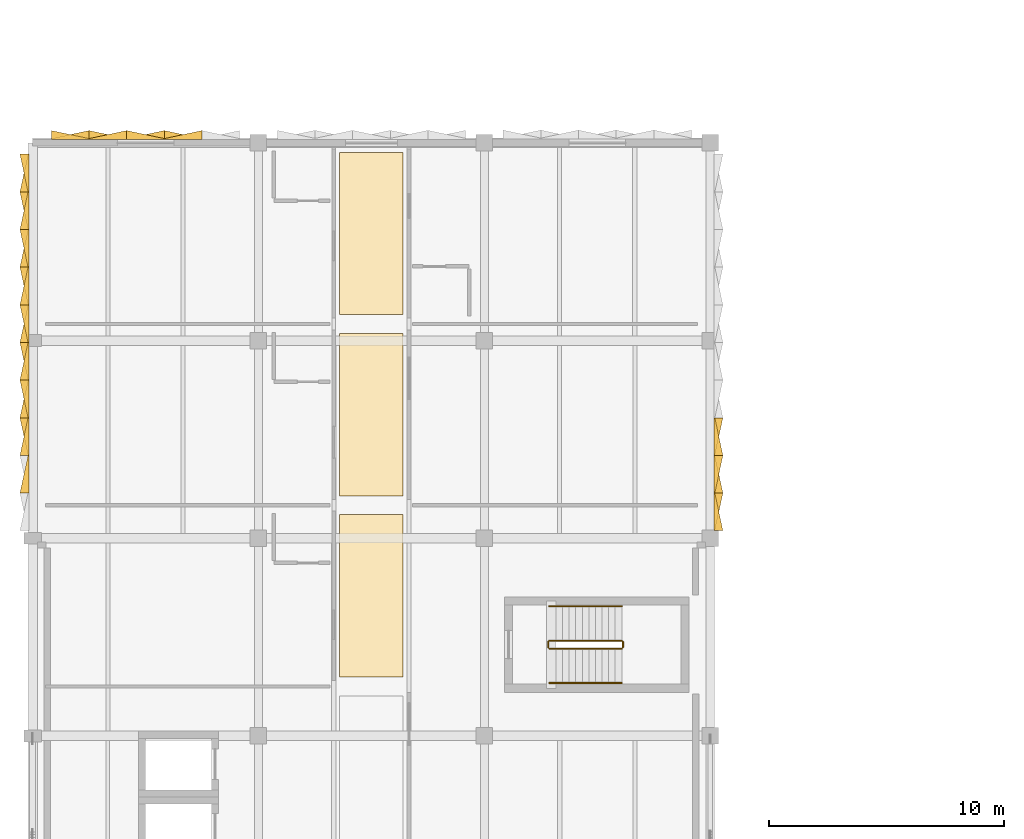
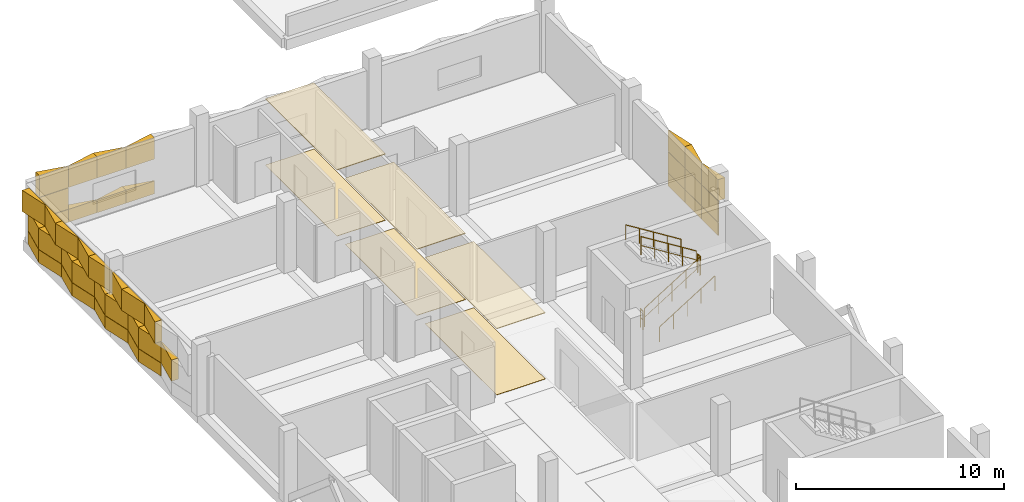
# One storey, part 50 of 57: 49 coverings, 6 railings.
"""IFC4 building model written with IfcOpenShell, lengths in metres."""

import ifcopenshell
import ifcopenshell.guid

model = None  # the IFC model being written
_history = None  # IfcOwnerHistory: only IFC2X3 demands one
_inside = {}  # id of a spatial element -> (the spatial element, [elements in it])
_under = {}  # id of a project, library or spatial element -> (it, [spatial elements below it])
_declared = {}  # id of a project -> (the project, [libraries it declares])
_typed = {}  # id of a type object -> (the type object, [elements of that type])
_made_of = {}  # id of a material, layer set ... -> (it, [elements and type objects made of it])


def new_model(schema):
    """Start an empty IFC model of exactly this schema.

    Asked for "IFC4X3", IfcOpenShell would pick the latest addendum, in which some entities
    have other attributes; the version numbers below select the first issue.
    IFC2X3 requires an IfcOwnerHistory on every rooted entity: one is made here for all.
    """
    global model, _history
    if schema == "IFC4X3":
        model = ifcopenshell.file(schema_version=(4, 3, 0, 0))
    else:
        model = ifcopenshell.file(schema=schema)
    _inside.clear()
    _under.clear()
    _declared.clear()
    _typed.clear()
    _made_of.clear()
    _history = None
    if model.schema == "IFC2X3":
        org = make("IfcOrganization", Name="unknown")
        user = make(
            "IfcPersonAndOrganization",
            ThePerson=make("IfcPerson", FamilyName="unknown"),
            TheOrganization=org,
        )
        app = make(
            "IfcApplication",
            ApplicationDeveloper=org,
            Version="unknown",
            ApplicationFullName="unknown",
            ApplicationIdentifier="unknown",
        )
        _history = make(
            "IfcOwnerHistory",
            OwningUser=user,
            OwningApplication=app,
            ChangeAction="ADDED",
            CreationDate=0,
        )
    return model


def make(cls, **values):
    """One entity of the class cls with the attributes given. An attribute that is None is left unset."""
    return model.create_entity(
        cls, **{name: value for name, value in values.items() if value is not None}
    )


def rooted(cls, **values):
    """An entity with a GlobalId (a new one), such as an element, a storey or a relation."""
    return make(cls, GlobalId=ifcopenshell.guid.new(), OwnerHistory=_history, **values)


def si_unit(unit_type, name, prefix=None):
    """IfcSIUnit, for example si_unit("LENGTHUNIT", "METRE", prefix="MILLI")."""
    return make("IfcSIUnit", UnitType=unit_type, Prefix=prefix, Name=name)


def assignment(units):
    """IfcUnitAssignment: the units of a project."""
    return None if units is None else make("IfcUnitAssignment", Units=units)


def point(xyz):
    """IfcCartesianPoint."""
    return None if xyz is None else make("IfcCartesianPoint", Coordinates=xyz)


def direction(xyz):
    """IfcDirection."""
    return None if xyz is None else make("IfcDirection", DirectionRatios=xyz)


def frame(location, z_axis=None, x_axis=None):
    """IfcAxis2Placement3D, a coordinate frame: its origin and axes. An axis left out is left unset."""
    return make(
        "IfcAxis2Placement3D",
        Location=point(location),
        Axis=direction(z_axis),
        RefDirection=direction(x_axis),
    )


def frame_2d(location, x_axis=None):
    """IfcAxis2Placement2D, a coordinate frame in the plane: its origin and x axis."""
    return make(
        "IfcAxis2Placement2D", Location=point(location), RefDirection=direction(x_axis)
    )


def origin():
    """The frame at (0, 0, 0) with its axes left unset."""
    return frame((0.0, 0.0, 0.0))


def origin_2d():
    """The frame at (0, 0) in the plane with its x axis left unset."""
    return frame_2d((0.0, 0.0))


def place(relative_to, where):
    """IfcLocalPlacement: puts the frame where relative to a parent placement (None: the world)."""
    return make(
        "IfcLocalPlacement", PlacementRelTo=relative_to, RelativePlacement=where
    )


def context(
    kind, dimensions, precision=None, world=None, true_north=None, identifier=None
):
    """IfcGeometricRepresentationContext, for example the 3D "Model" context."""
    return make(
        "IfcGeometricRepresentationContext",
        ContextIdentifier=identifier,
        ContextType=kind,
        CoordinateSpaceDimension=dimensions,
        Precision=precision,
        WorldCoordinateSystem=world,
        TrueNorth=true_north,
    )


def subcontext(parent, identifier, kind, view, scale=None):
    """IfcGeometricRepresentationSubContext, for example "Body" below "Model"."""
    return make(
        "IfcGeometricRepresentationSubContext",
        ContextIdentifier=identifier,
        ContextType=kind,
        ParentContext=parent,
        TargetScale=scale,
        TargetView=view,
    )


def project(units=None, contexts=None):
    """IfcProject with its units and contexts."""
    return rooted(
        "IfcProject",
        Name="project",
        RepresentationContexts=contexts,
        UnitsInContext=assignment(units),
    )


def spatial(cls, under=None, at=None, **own):
    """A site, building, storey or space (cls), placed at a placement, below another one or the project."""
    s = rooted(cls, ObjectPlacement=at, **own)
    if under is not None:
        _under.setdefault(under.id(), (under, []))[1].append(s)
    return s


def polyline(points):
    """IfcPolyline through the points."""
    return make("IfcPolyline", Points=[point(p) for p in points])


def profile(cls, at=None, kind="AREA", **sizes):
    """A parametric profile (cls). Its sizes go by their IFC names, for example OverallWidth=200.0."""
    return make(cls, ProfileType=kind, Position=at, **sizes)


def circle(**sizes):
    """IfcCircleProfileDef."""
    return profile("IfcCircleProfileDef", **sizes)


def outline(outer, holes=None, kind="AREA"):
    """IfcArbitraryClosedProfileDef: a profile drawn as a closed curve; with holes, ...WithVoids."""
    if holes is None:
        return make("IfcArbitraryClosedProfileDef", ProfileType=kind, OuterCurve=outer)
    return make(
        "IfcArbitraryProfileDefWithVoids",
        ProfileType=kind,
        OuterCurve=outer,
        InnerCurves=holes,
    )


def extrude(swept, where, along, depth):
    """IfcExtrudedAreaSolid: the profile swept, set in the frame where, extruded along a direction by depth."""
    return make(
        "IfcExtrudedAreaSolid",
        SweptArea=swept,
        Position=where,
        ExtrudedDirection=direction(along),
        Depth=depth,
    )


def shape(context_of_items, identifier, shape_type, items):
    """IfcShapeRepresentation: the items that make up one representation, for example the "Body"."""
    return make(
        "IfcShapeRepresentation",
        ContextOfItems=context_of_items,
        RepresentationIdentifier=identifier,
        RepresentationType=shape_type,
        Items=items,
    )


def material(Name=None, Category=None):
    """IfcMaterial."""
    return make("IfcMaterial", Name=Name, Category=Category)


def layer(
    of_material, thickness, ventilated=None, Name=None, Category=None, Priority=None
):
    """IfcMaterialLayer: one layer of a wall or slab, of a material (None: an air gap)."""
    return make(
        "IfcMaterialLayer",
        Material=of_material,
        LayerThickness=thickness,
        IsVentilated=ventilated,
        Name=Name,
        Category=Category,
        Priority=Priority,
    )


def layer_set(layers, Name=None):
    """IfcMaterialLayerSet."""
    return make("IfcMaterialLayerSet", MaterialLayers=layers, LayerSetName=Name)


def made_of(thing, what):
    """Note that an element or type object is made of a material, layer set ...; save() writes the relation."""
    if what is not None:
        _made_of.setdefault(what.id(), (what, []))[1].append(thing)
    return thing


def type_object(cls, material=None, **own):
    """A type object (cls), such as IfcWallType, which elements share."""
    return made_of(rooted(cls, **own), material)


def element(
    cls,
    number,
    at=None,
    inside=None,
    cuts=None,
    type_object=None,
    material=None,
    context=None,
    identifier="Body",
    shape_type=None,
    held_by="IfcProductDefinitionShape",
    body=None,
    shapes=None,
    **own,
):
    """One element of the class cls, such as IfcWall. Its Tag is "e" and its number.

    at: its placement. inside: the storey or other place that contains it. cuts: it is an
    opening in that element (IfcRelVoidsElement). A single representation is given by context,
    identifier, shape_type and body (its items); several are given by shapes. held_by: the class
    of the entity that holds the representations. save() writes the other relations.
    """
    e = rooted(cls, Tag="e%d" % number, ObjectPlacement=at, **own)
    if body is not None:
        shapes = [shape(context, identifier, shape_type, body)]
    if shapes is not None:
        e.Representation = make(held_by, Representations=shapes)
    if inside is not None:
        _inside.setdefault(inside.id(), (inside, []))[1].append(e)
    if cuts is not None:
        rooted(
            "IfcRelVoidsElement", RelatingBuildingElement=cuts, RelatedOpeningElement=e
        )
    if type_object is not None:
        _typed.setdefault(type_object.id(), (type_object, []))[1].append(e)
    return made_of(e, material)


def aggregate(whole, parts):
    """IfcRelAggregates: a whole, such as a stair, and the parts it consists of."""
    return rooted("IfcRelAggregates", RelatingObject=whole, RelatedObjects=parts)


def save(model, path):
    """Write the relations noted so far, then the file.

    IfcRelAggregates (storeys below a building ...), IfcRelContainedInSpatialStructure (elements
    in a storey), IfcRelDefinesByType, IfcRelAssociatesMaterial and IfcRelDeclares: one each for
    every whole, place, type object, material and project.
    """
    for whole, parts in _under.values():
        aggregate(whole, parts)
    for where, things in _inside.values():
        rooted(
            "IfcRelContainedInSpatialStructure",
            RelatedElements=things,
            RelatingStructure=where,
        )
    for kind, things in _typed.values():
        rooted("IfcRelDefinesByType", RelatedObjects=things, RelatingType=kind)
    for what, things in _made_of.values():
        rooted("IfcRelAssociatesMaterial", RelatedObjects=things, RelatingMaterial=what)
    for by, libraries in _declared.values():
        rooted("IfcRelDeclares", RelatingContext=by, RelatedDefinitions=libraries)
    model.write(path)


model = new_model("IFC4")

# Units and contexts
model_context = context("Model", 3, precision=1e-05, world=origin(), true_north=direction((0.0, 1.0)))
body_context = subcontext(model_context, "Body", "Model", "MODEL_VIEW")
ifc_project = project(units=[si_unit("LENGTHUNIT", "METRE"), si_unit("AREAUNIT", "SQUARE_METRE"), si_unit("VOLUMEUNIT", "CUBIC_METRE"), si_unit("PLANEANGLEUNIT", "RADIAN"), si_unit("MASSUNIT", "GRAM", prefix="KILO")], contexts=[model_context])

# Site, building, storey
site_placement = place(None, origin())
site = spatial("IfcSite", under=ifc_project, at=site_placement, CompositionType="ELEMENT")
building_placement = place(site_placement, origin())
building = spatial("IfcBuilding", under=site, at=building_placement, Name="Oolite Switchyard Hospital", CompositionType="ELEMENT")
storey_placement = place(building_placement, frame((0.0, 0.0, 17.800048828125)))
storey = spatial("IfcBuildingStorey", under=building, at=storey_placement, Name="L04", CompositionType="ELEMENT", Elevation=17.800048828125)

# Coverings
ifc_material_1 = material(Name="Hygienic washable mineral-fibre acoustic ceiling")
ifc_layer_1 = layer(ifc_material_1, 0.0400390625)
ifc_layer_set_1 = layer_set([ifc_layer_1], Name="COV-CEIL-AC60")
covering_type_1 = type_object("IfcCoveringType", Name="COV-CEIL-AC60", PredefinedType="CEILING", material=ifc_layer_set_1)
covering_1_placement = place(storey_placement, frame((0.0, 0.0, 3.885009765625)))
element("IfcCovering", 1, at=covering_1_placement, inside=storey, type_object=covering_type_1, Name="L04 West Maternal LDRP Ward Corridor Ceiling 4", PredefinedType="CEILING", context=body_context, shape_type="SweptSolid", body=[
    extrude(outline(polyline([(13.050048828125, 61.300048828125), (15.75, 61.300048828125), (15.75, 68.199951171875), (13.050048828125, 68.199951171875), (13.050048828125, 61.300048828125)])), origin(), (0.0, 0.0, 1.0), 0.0400390625),
])
covering_2_placement = place(storey_placement, frame((0.0, 0.0, 3.885009765625)))
element("IfcCovering", 2, at=covering_2_placement, inside=storey, type_object=covering_type_1, Name="L04 West Maternal LDRP Ward Corridor Ceiling 5", PredefinedType="CEILING", context=body_context, shape_type="SweptSolid", body=[
    extrude(outline(polyline([(13.050048828125, 69.0), (15.75, 69.0), (15.75, 75.89990234375), (13.050048828125, 75.89990234375), (13.050048828125, 69.0)])), origin(), (0.0, 0.0, 1.0), 0.0400390625),
])
covering_3_placement = place(storey_placement, frame((0.0, 0.0, 3.885009765625)))
element("IfcCovering", 3, at=covering_3_placement, inside=storey, type_object=covering_type_1, Name="L04 West Maternal LDRP Ward Corridor Ceiling 6", PredefinedType="CEILING", context=body_context, shape_type="SweptSolid", body=[
    extrude(outline(polyline([(13.050048828125, 76.699951171875), (15.75, 76.699951171875), (15.75, 83.60009765625), (13.050048828125, 83.60009765625), (13.050048828125, 76.699951171875)])), origin(), (0.0, 0.0, 1.0), 0.0400390625),
])
ifc_material_2 = material(Name="Precast oolitic limestone architectural concrete C40/50", Category="masonry")
covering_type_2 = type_object("IfcCoveringType", Name="COV-CHEV-WARM", PredefinedType="CLADDING", material=ifc_material_2)
covering_4_placement = place(storey_placement, frame((0.800048828125, 84.139892578125, 0.050048828125), z_axis=(0.0, 0.0, 1.0), x_axis=(1.0, 0.0, 0.0)))
element("IfcCovering", 4, at=covering_4_placement, inside=storey, type_object=covering_type_2, Name="L04 Chevron Precast Oolite Panel 664", PredefinedType="CLADDING", context=body_context, shape_type="SweptSolid", body=[
    extrude(outline(polyline([(0.0, 0.0), (1.599853515625, 0.0), (1.599853515625, 0.385009765625), (0.0, 0.044921875), (0.0, 0.0)])), origin(), (0.0, 0.0, 1.0), 0.760009765625),
])
covering_5_placement = place(storey_placement, frame((0.800048828125, 84.139892578125, 2.08984375), z_axis=(0.0, 0.0, 1.0), x_axis=(1.0, 0.0, 0.0)))
element("IfcCovering", 5, at=covering_5_placement, inside=storey, type_object=covering_type_2, Name="L04 Chevron Precast Oolite Panel 665", PredefinedType="CLADDING", context=body_context, shape_type="SweptSolid", body=[
    extrude(outline(polyline([(0.0, 0.0), (1.599853515625, 0.0), (1.599853515625, 0.044921875), (0.0, 0.385009765625), (0.0, 0.0)])), origin(), (0.0, 0.0, 1.0), 1.25),
])
covering_6_placement = place(storey_placement, frame((0.800048828125, 84.139892578125, 0.829833984375), z_axis=(0.0, 0.0, 1.0), x_axis=(1.0, 0.0, 0.0)))
element("IfcCovering", 6, at=covering_6_placement, inside=storey, type_object=covering_type_2, Name="L04 Chevron Precast Oolite Panel 666", PredefinedType="CLADDING", context=body_context, shape_type="SweptSolid", body=[
    extrude(outline(polyline([(0.0, 0.0), (1.599853515625, 0.0), (1.599853515625, 0.385009765625), (0.0, 0.044921875), (0.0, 0.0)])), origin(), (0.0, 0.0, 1.0), 1.240234375),
])
covering_7_placement = place(storey_placement, frame((2.39990234375, 84.139892578125, 0.050048828125), z_axis=(0.0, 0.0, 1.0), x_axis=(1.0, 0.0, 0.0)))
element("IfcCovering", 7, at=covering_7_placement, inside=storey, type_object=covering_type_2, Name="L04 Chevron Precast Oolite Panel 667", PredefinedType="CLADDING", context=body_context, shape_type="SweptSolid", body=[
    extrude(outline(polyline([(0.0, 0.0), (1.60009765625, 0.0), (1.60009765625, 0.044921875), (0.0, 0.385009765625), (0.0, 0.0)])), origin(), (0.0, 0.0, 1.0), 0.760009765625),
])
covering_8_placement = place(storey_placement, frame((2.39990234375, 84.139892578125, 2.08984375), z_axis=(0.0, 0.0, 1.0), x_axis=(1.0, 0.0, 0.0)))
element("IfcCovering", 8, at=covering_8_placement, inside=storey, type_object=covering_type_2, Name="L04 Chevron Precast Oolite Panel 668", PredefinedType="CLADDING", context=body_context, shape_type="SweptSolid", body=[
    extrude(outline(polyline([(0.0, 0.0), (1.60009765625, 0.0), (1.60009765625, 0.385009765625), (0.0, 0.044921875), (0.0, 0.0)])), origin(), (0.0, 0.0, 1.0), 1.25),
])
covering_9_placement = place(storey_placement, frame((4.0, 84.139892578125, 0.050048828125), z_axis=(0.0, 0.0, 1.0), x_axis=(1.0, 0.0, 0.0)))
element("IfcCovering", 9, at=covering_9_placement, inside=storey, type_object=covering_type_2, Name="L04 Chevron Precast Oolite Panel 669", PredefinedType="CLADDING", context=body_context, shape_type="SweptSolid", body=[
    extrude(outline(polyline([(0.0, 0.0), (1.60009765625, 0.0), (1.60009765625, 0.385009765625), (0.0, 0.044921875), (0.0, 0.0)])), origin(), (0.0, 0.0, 1.0), 0.760009765625),
])
covering_10_placement = place(storey_placement, frame((4.0, 84.139892578125, 2.08984375), z_axis=(0.0, 0.0, 1.0), x_axis=(1.0, 0.0, 0.0)))
element("IfcCovering", 10, at=covering_10_placement, inside=storey, type_object=covering_type_2, Name="L04 Chevron Precast Oolite Panel 670", PredefinedType="CLADDING", context=body_context, shape_type="SweptSolid", body=[
    extrude(outline(polyline([(0.0, 0.0), (1.60009765625, 0.0), (1.60009765625, 0.044921875), (0.0, 0.385009765625), (0.0, 0.0)])), origin(), (0.0, 0.0, 1.0), 1.25),
])
covering_11_placement = place(storey_placement, frame((5.60009765625, 84.139892578125, 0.050048828125), z_axis=(0.0, 0.0, 1.0), x_axis=(1.0, 0.0, 0.0)))
element("IfcCovering", 11, at=covering_11_placement, inside=storey, type_object=covering_type_2, Name="L04 Chevron Precast Oolite Panel 671", PredefinedType="CLADDING", context=body_context, shape_type="SweptSolid", body=[
    extrude(outline(polyline([(0.0, 0.0), (1.599853515625, 0.0), (1.599853515625, 0.044921875), (0.0, 0.385009765625), (0.0, 0.0)])), origin(), (0.0, 0.0, 1.0), 0.760009765625),
])
covering_12_placement = place(storey_placement, frame((5.60009765625, 84.139892578125, 2.08984375), z_axis=(0.0, 0.0, 1.0), x_axis=(1.0, 0.0, 0.0)))
element("IfcCovering", 12, at=covering_12_placement, inside=storey, type_object=covering_type_2, Name="L04 Chevron Precast Oolite Panel 672", PredefinedType="CLADDING", context=body_context, shape_type="SweptSolid", body=[
    extrude(outline(polyline([(0.0, 0.0), (1.599853515625, 0.0), (1.599853515625, 0.385009765625), (0.0, 0.044921875), (0.0, 0.0)])), origin(), (0.0, 0.0, 1.0), 1.25),
])
covering_13_placement = place(storey_placement, frame((-0.14990234375, 69.1201171875, 0.829833984375), z_axis=(0.0, 0.0, 1.0), x_axis=(0.0, 1.0, 0.0)))
element("IfcCovering", 13, at=covering_13_placement, inside=storey, type_object=covering_type_2, Name="L04 Chevron Precast Oolite Panel 807", PredefinedType="CLADDING", context=body_context, shape_type="SweptSolid", body=[
    extrude(outline(polyline([(0.0, 0.0), (1.599853515625, 0.0), (1.599853515625, 0.044921875), (0.0, 0.385009765625), (0.0, 0.0)])), origin(), (0.0, 0.0, 1.0), 1.240234375),
])
covering_14_placement = place(storey_placement, frame((-0.14990234375, 70.719970703125, 0.050048828125), z_axis=(0.0, 0.0, 1.0), x_axis=(0.0, 1.0, 0.0)))
element("IfcCovering", 14, at=covering_14_placement, inside=storey, type_object=covering_type_2, Name="L04 Chevron Precast Oolite Panel 808", PredefinedType="CLADDING", context=body_context, shape_type="SweptSolid", body=[
    extrude(outline(polyline([(0.0, 0.0), (1.60009765625, 0.0), (1.60009765625, 0.385009765625), (0.0, 0.044921875), (0.0, 0.0)])), origin(), (0.0, 0.0, 1.0), 0.760009765625),
])
covering_15_placement = place(storey_placement, frame((-0.14990234375, 70.719970703125, 2.08984375), z_axis=(0.0, 0.0, 1.0), x_axis=(0.0, 1.0, 0.0)))
element("IfcCovering", 15, at=covering_15_placement, inside=storey, type_object=covering_type_2, Name="L04 Chevron Precast Oolite Panel 809", PredefinedType="CLADDING", context=body_context, shape_type="SweptSolid", body=[
    extrude(outline(polyline([(0.0, 0.0), (1.60009765625, 0.0), (1.60009765625, 0.044921875), (0.0, 0.385009765625), (0.0, 0.0)])), origin(), (0.0, 0.0, 1.0), 1.25),
])
covering_16_placement = place(storey_placement, frame((-0.14990234375, 70.719970703125, 0.829833984375), z_axis=(0.0, 0.0, 1.0), x_axis=(0.0, 1.0, 0.0)))
element("IfcCovering", 16, at=covering_16_placement, inside=storey, type_object=covering_type_2, Name="L04 Chevron Precast Oolite Panel 810", PredefinedType="CLADDING", context=body_context, shape_type="SweptSolid", body=[
    extrude(outline(polyline([(0.0, 0.0), (1.60009765625, 0.0), (1.60009765625, 0.385009765625), (0.0, 0.044921875), (0.0, 0.0)])), origin(), (0.0, 0.0, 1.0), 1.240234375),
])
covering_17_placement = place(storey_placement, frame((-0.14990234375, 72.320068359375, 0.050048828125), z_axis=(0.0, 0.0, 1.0), x_axis=(0.0, 1.0, 0.0)))
element("IfcCovering", 17, at=covering_17_placement, inside=storey, type_object=covering_type_2, Name="L04 Chevron Precast Oolite Panel 811", PredefinedType="CLADDING", context=body_context, shape_type="SweptSolid", body=[
    extrude(outline(polyline([(0.0, 0.0), (1.599853515625, 0.0), (1.599853515625, 0.044921875), (0.0, 0.385009765625), (0.0, 0.0)])), origin(), (0.0, 0.0, 1.0), 0.760009765625),
])
covering_18_placement = place(storey_placement, frame((-0.14990234375, 72.320068359375, 2.08984375), z_axis=(0.0, 0.0, 1.0), x_axis=(0.0, 1.0, 0.0)))
element("IfcCovering", 18, at=covering_18_placement, inside=storey, type_object=covering_type_2, Name="L04 Chevron Precast Oolite Panel 812", PredefinedType="CLADDING", context=body_context, shape_type="SweptSolid", body=[
    extrude(outline(polyline([(0.0, 0.0), (1.599853515625, 0.0), (1.599853515625, 0.385009765625), (0.0, 0.044921875), (0.0, 0.0)])), origin(), (0.0, 0.0, 1.0), 1.25),
])
covering_19_placement = place(storey_placement, frame((-0.14990234375, 72.320068359375, 0.829833984375), z_axis=(0.0, 0.0, 1.0), x_axis=(0.0, 1.0, 0.0)))
element("IfcCovering", 19, at=covering_19_placement, inside=storey, type_object=covering_type_2, Name="L04 Chevron Precast Oolite Panel 813", PredefinedType="CLADDING", context=body_context, shape_type="SweptSolid", body=[
    extrude(outline(polyline([(0.0, 0.0), (1.599853515625, 0.0), (1.599853515625, 0.044921875), (0.0, 0.385009765625), (0.0, 0.0)])), origin(), (0.0, 0.0, 1.0), 1.240234375),
])
covering_20_placement = place(storey_placement, frame((-0.14990234375, 73.919921875, 0.050048828125), z_axis=(0.0, 0.0, 1.0), x_axis=(0.0, 1.0, 0.0)))
element("IfcCovering", 20, at=covering_20_placement, inside=storey, type_object=covering_type_2, Name="L04 Chevron Precast Oolite Panel 814", PredefinedType="CLADDING", context=body_context, shape_type="SweptSolid", body=[
    extrude(outline(polyline([(0.0, 0.0), (1.60009765625, 0.0), (1.60009765625, 0.385009765625), (0.0, 0.044921875), (0.0, 0.0)])), origin(), (0.0, 0.0, 1.0), 0.760009765625),
])
covering_21_placement = place(storey_placement, frame((-0.14990234375, 73.919921875, 2.08984375), z_axis=(0.0, 0.0, 1.0), x_axis=(0.0, 1.0, 0.0)))
element("IfcCovering", 21, at=covering_21_placement, inside=storey, type_object=covering_type_2, Name="L04 Chevron Precast Oolite Panel 815", PredefinedType="CLADDING", context=body_context, shape_type="SweptSolid", body=[
    extrude(outline(polyline([(0.0, 0.0), (1.60009765625, 0.0), (1.60009765625, 0.044921875), (0.0, 0.385009765625), (0.0, 0.0)])), origin(), (0.0, 0.0, 1.0), 1.25),
])
covering_22_placement = place(storey_placement, frame((-0.14990234375, 73.919921875, 0.829833984375), z_axis=(0.0, 0.0, 1.0), x_axis=(0.0, 1.0, 0.0)))
element("IfcCovering", 22, at=covering_22_placement, inside=storey, type_object=covering_type_2, Name="L04 Chevron Precast Oolite Panel 816", PredefinedType="CLADDING", context=body_context, shape_type="SweptSolid", body=[
    extrude(outline(polyline([(0.0, 0.0), (1.60009765625, 0.0), (1.60009765625, 0.385009765625), (0.0, 0.044921875), (0.0, 0.0)])), origin(), (0.0, 0.0, 1.0), 1.240234375),
])
covering_23_placement = place(storey_placement, frame((-0.14990234375, 75.52001953125, 0.050048828125), z_axis=(0.0, 0.0, 1.0), x_axis=(0.0, 1.0, 0.0)))
element("IfcCovering", 23, at=covering_23_placement, inside=storey, type_object=covering_type_2, Name="L04 Chevron Precast Oolite Panel 817", PredefinedType="CLADDING", context=body_context, shape_type="SweptSolid", body=[
    extrude(outline(polyline([(0.0, 0.0), (1.60009765625, 0.0), (1.60009765625, 0.044921875), (0.0, 0.385009765625), (0.0, 0.0)])), origin(), (0.0, 0.0, 1.0), 0.760009765625),
])
covering_24_placement = place(storey_placement, frame((-0.14990234375, 75.52001953125, 2.08984375), z_axis=(0.0, 0.0, 1.0), x_axis=(0.0, 1.0, 0.0)))
element("IfcCovering", 24, at=covering_24_placement, inside=storey, type_object=covering_type_2, Name="L04 Chevron Precast Oolite Panel 818", PredefinedType="CLADDING", context=body_context, shape_type="SweptSolid", body=[
    extrude(outline(polyline([(0.0, 0.0), (1.60009765625, 0.0), (1.60009765625, 0.385009765625), (0.0, 0.044921875), (0.0, 0.0)])), origin(), (0.0, 0.0, 1.0), 1.25),
])
covering_25_placement = place(storey_placement, frame((-0.14990234375, 75.52001953125, 0.829833984375), z_axis=(0.0, 0.0, 1.0), x_axis=(0.0, 1.0, 0.0)))
element("IfcCovering", 25, at=covering_25_placement, inside=storey, type_object=covering_type_2, Name="L04 Chevron Precast Oolite Panel 819", PredefinedType="CLADDING", context=body_context, shape_type="SweptSolid", body=[
    extrude(outline(polyline([(0.0, 0.0), (1.60009765625, 0.0), (1.60009765625, 0.044921875), (0.0, 0.385009765625), (0.0, 0.0)])), origin(), (0.0, 0.0, 1.0), 1.240234375),
])
covering_26_placement = place(storey_placement, frame((-0.14990234375, 77.1201171875, 0.050048828125), z_axis=(0.0, 0.0, 1.0), x_axis=(0.0, 1.0, 0.0)))
element("IfcCovering", 26, at=covering_26_placement, inside=storey, type_object=covering_type_2, Name="L04 Chevron Precast Oolite Panel 820", PredefinedType="CLADDING", context=body_context, shape_type="SweptSolid", body=[
    extrude(outline(polyline([(0.0, 0.0), (1.599853515625, 0.0), (1.599853515625, 0.385009765625), (0.0, 0.044921875), (0.0, 0.0)])), origin(), (0.0, 0.0, 1.0), 0.760009765625),
])
covering_27_placement = place(storey_placement, frame((-0.14990234375, 77.1201171875, 2.08984375), z_axis=(0.0, 0.0, 1.0), x_axis=(0.0, 1.0, 0.0)))
element("IfcCovering", 27, at=covering_27_placement, inside=storey, type_object=covering_type_2, Name="L04 Chevron Precast Oolite Panel 821", PredefinedType="CLADDING", context=body_context, shape_type="SweptSolid", body=[
    extrude(outline(polyline([(0.0, 0.0), (1.599853515625, 0.0), (1.599853515625, 0.044921875), (0.0, 0.385009765625), (0.0, 0.0)])), origin(), (0.0, 0.0, 1.0), 1.25),
])
covering_28_placement = place(storey_placement, frame((-0.14990234375, 77.1201171875, 0.829833984375), z_axis=(0.0, 0.0, 1.0), x_axis=(0.0, 1.0, 0.0)))
element("IfcCovering", 28, at=covering_28_placement, inside=storey, type_object=covering_type_2, Name="L04 Chevron Precast Oolite Panel 822", PredefinedType="CLADDING", context=body_context, shape_type="SweptSolid", body=[
    extrude(outline(polyline([(0.0, 0.0), (1.599853515625, 0.0), (1.599853515625, 0.385009765625), (0.0, 0.044921875), (0.0, 0.0)])), origin(), (0.0, 0.0, 1.0), 1.240234375),
])
covering_29_placement = place(storey_placement, frame((-0.14990234375, 78.719970703125, 0.050048828125), z_axis=(0.0, 0.0, 1.0), x_axis=(0.0, 1.0, 0.0)))
element("IfcCovering", 29, at=covering_29_placement, inside=storey, type_object=covering_type_2, Name="L04 Chevron Precast Oolite Panel 823", PredefinedType="CLADDING", context=body_context, shape_type="SweptSolid", body=[
    extrude(outline(polyline([(0.0, 0.0), (1.60009765625, 0.0), (1.60009765625, 0.044921875), (0.0, 0.385009765625), (0.0, 0.0)])), origin(), (0.0, 0.0, 1.0), 0.760009765625),
])
covering_30_placement = place(storey_placement, frame((-0.14990234375, 78.719970703125, 2.08984375), z_axis=(0.0, 0.0, 1.0), x_axis=(0.0, 1.0, 0.0)))
element("IfcCovering", 30, at=covering_30_placement, inside=storey, type_object=covering_type_2, Name="L04 Chevron Precast Oolite Panel 824", PredefinedType="CLADDING", context=body_context, shape_type="SweptSolid", body=[
    extrude(outline(polyline([(0.0, 0.0), (1.60009765625, 0.0), (1.60009765625, 0.385009765625), (0.0, 0.044921875), (0.0, 0.0)])), origin(), (0.0, 0.0, 1.0), 1.25),
])
covering_31_placement = place(storey_placement, frame((-0.14990234375, 78.719970703125, 0.829833984375), z_axis=(0.0, 0.0, 1.0), x_axis=(0.0, 1.0, 0.0)))
element("IfcCovering", 31, at=covering_31_placement, inside=storey, type_object=covering_type_2, Name="L04 Chevron Precast Oolite Panel 825", PredefinedType="CLADDING", context=body_context, shape_type="SweptSolid", body=[
    extrude(outline(polyline([(0.0, 0.0), (1.60009765625, 0.0), (1.60009765625, 0.044921875), (0.0, 0.385009765625), (0.0, 0.0)])), origin(), (0.0, 0.0, 1.0), 1.240234375),
])
covering_32_placement = place(storey_placement, frame((-0.14990234375, 80.320068359375, 0.050048828125), z_axis=(0.0, 0.0, 1.0), x_axis=(0.0, 1.0, 0.0)))
element("IfcCovering", 32, at=covering_32_placement, inside=storey, type_object=covering_type_2, Name="L04 Chevron Precast Oolite Panel 826", PredefinedType="CLADDING", context=body_context, shape_type="SweptSolid", body=[
    extrude(outline(polyline([(0.0, 0.0), (1.599853515625, 0.0), (1.599853515625, 0.385009765625), (0.0, 0.044921875), (0.0, 0.0)])), origin(), (0.0, 0.0, 1.0), 0.760009765625),
])
covering_33_placement = place(storey_placement, frame((-0.14990234375, 80.320068359375, 2.08984375), z_axis=(0.0, 0.0, 1.0), x_axis=(0.0, 1.0, 0.0)))
element("IfcCovering", 33, at=covering_33_placement, inside=storey, type_object=covering_type_2, Name="L04 Chevron Precast Oolite Panel 827", PredefinedType="CLADDING", context=body_context, shape_type="SweptSolid", body=[
    extrude(outline(polyline([(0.0, 0.0), (1.599853515625, 0.0), (1.599853515625, 0.044921875), (0.0, 0.385009765625), (0.0, 0.0)])), origin(), (0.0, 0.0, 1.0), 1.25),
])
covering_34_placement = place(storey_placement, frame((-0.14990234375, 80.320068359375, 0.829833984375), z_axis=(0.0, 0.0, 1.0), x_axis=(0.0, 1.0, 0.0)))
element("IfcCovering", 34, at=covering_34_placement, inside=storey, type_object=covering_type_2, Name="L04 Chevron Precast Oolite Panel 828", PredefinedType="CLADDING", context=body_context, shape_type="SweptSolid", body=[
    extrude(outline(polyline([(0.0, 0.0), (1.599853515625, 0.0), (1.599853515625, 0.385009765625), (0.0, 0.044921875), (0.0, 0.0)])), origin(), (0.0, 0.0, 1.0), 1.240234375),
])
covering_35_placement = place(storey_placement, frame((-0.14990234375, 81.919921875, 0.050048828125), z_axis=(0.0, 0.0, 1.0), x_axis=(0.0, 1.0, 0.0)))
element("IfcCovering", 35, at=covering_35_placement, inside=storey, type_object=covering_type_2, Name="L04 Chevron Precast Oolite Panel 829", PredefinedType="CLADDING", context=body_context, shape_type="SweptSolid", body=[
    extrude(outline(polyline([(0.0, 0.0), (1.60009765625, 0.0), (1.60009765625, 0.044921875), (0.0, 0.385009765625), (0.0, 0.0)])), origin(), (0.0, 0.0, 1.0), 0.760009765625),
])
covering_36_placement = place(storey_placement, frame((-0.14990234375, 81.919921875, 2.08984375), z_axis=(0.0, 0.0, 1.0), x_axis=(0.0, 1.0, 0.0)))
element("IfcCovering", 36, at=covering_36_placement, inside=storey, type_object=covering_type_2, Name="L04 Chevron Precast Oolite Panel 830", PredefinedType="CLADDING", context=body_context, shape_type="SweptSolid", body=[
    extrude(outline(polyline([(0.0, 0.0), (1.60009765625, 0.0), (1.60009765625, 0.385009765625), (0.0, 0.044921875), (0.0, 0.0)])), origin(), (0.0, 0.0, 1.0), 1.25),
])
covering_37_placement = place(storey_placement, frame((-0.14990234375, 81.919921875, 0.829833984375), z_axis=(0.0, 0.0, 1.0), x_axis=(0.0, 1.0, 0.0)))
element("IfcCovering", 37, at=covering_37_placement, inside=storey, type_object=covering_type_2, Name="L04 Chevron Precast Oolite Panel 831", PredefinedType="CLADDING", context=body_context, shape_type="SweptSolid", body=[
    extrude(outline(polyline([(0.0, 0.0), (1.60009765625, 0.0), (1.60009765625, 0.044921875), (0.0, 0.385009765625), (0.0, 0.0)])), origin(), (0.0, 0.0, 1.0), 1.240234375),
])
covering_38_placement = place(storey_placement, frame((28.949951171875, 72.320068359375, 0.050048828125), z_axis=(0.0, 0.0, 1.0), x_axis=(0.0, -1.0, 0.0)))
element("IfcCovering", 38, at=covering_38_placement, inside=storey, type_object=covering_type_2, Name="L04 Chevron Precast Oolite Panel 859", PredefinedType="CLADDING", context=body_context, shape_type="SweptSolid", body=[
    extrude(outline(polyline([(0.0, 0.0), (1.60009765625, 0.0), (1.60009765625, 0.044921875), (0.0, 0.385009765625), (0.0, 0.0)])), origin(), (0.0, 0.0, 1.0), 0.760009765625),
])
covering_39_placement = place(storey_placement, frame((28.949951171875, 72.320068359375, 2.08984375), z_axis=(0.0, 0.0, 1.0), x_axis=(0.0, -1.0, 0.0)))
element("IfcCovering", 39, at=covering_39_placement, inside=storey, type_object=covering_type_2, Name="L04 Chevron Precast Oolite Panel 860", PredefinedType="CLADDING", context=body_context, shape_type="SweptSolid", body=[
    extrude(outline(polyline([(0.0, 0.0), (1.60009765625, 0.0), (1.60009765625, 0.385009765625), (0.0, 0.044921875), (0.0, 0.0)])), origin(), (0.0, 0.0, 1.0), 1.25),
])
covering_40_placement = place(storey_placement, frame((28.949951171875, 72.320068359375, 0.829833984375), z_axis=(0.0, 0.0, 1.0), x_axis=(0.0, -1.0, 0.0)))
element("IfcCovering", 40, at=covering_40_placement, inside=storey, type_object=covering_type_2, Name="L04 Chevron Precast Oolite Panel 861", PredefinedType="CLADDING", context=body_context, shape_type="SweptSolid", body=[
    extrude(outline(polyline([(0.0, 0.0), (1.60009765625, 0.0), (1.60009765625, 0.044921875), (0.0, 0.385009765625), (0.0, 0.0)])), origin(), (0.0, 0.0, 1.0), 1.240234375),
])
covering_41_placement = place(storey_placement, frame((28.949951171875, 70.719970703125, 0.050048828125), z_axis=(0.0, 0.0, 1.0), x_axis=(0.0, -1.0, 0.0)))
element("IfcCovering", 41, at=covering_41_placement, inside=storey, type_object=covering_type_2, Name="L04 Chevron Precast Oolite Panel 862", PredefinedType="CLADDING", context=body_context, shape_type="SweptSolid", body=[
    extrude(outline(polyline([(0.0, 0.0), (1.599853515625, 0.0), (1.599853515625, 0.385009765625), (0.0, 0.044921875), (0.0, 0.0)])), origin(), (0.0, 0.0, 1.0), 0.760009765625),
])
covering_42_placement = place(storey_placement, frame((28.949951171875, 70.719970703125, 2.08984375), z_axis=(0.0, 0.0, 1.0), x_axis=(0.0, -1.0, 0.0)))
element("IfcCovering", 42, at=covering_42_placement, inside=storey, type_object=covering_type_2, Name="L04 Chevron Precast Oolite Panel 863", PredefinedType="CLADDING", context=body_context, shape_type="SweptSolid", body=[
    extrude(outline(polyline([(0.0, 0.0), (1.599853515625, 0.0), (1.599853515625, 0.044921875), (0.0, 0.385009765625), (0.0, 0.0)])), origin(), (0.0, 0.0, 1.0), 1.25),
])
covering_43_placement = place(storey_placement, frame((28.949951171875, 70.719970703125, 0.829833984375), z_axis=(0.0, 0.0, 1.0), x_axis=(0.0, -1.0, 0.0)))
element("IfcCovering", 43, at=covering_43_placement, inside=storey, type_object=covering_type_2, Name="L04 Chevron Precast Oolite Panel 864", PredefinedType="CLADDING", context=body_context, shape_type="SweptSolid", body=[
    extrude(outline(polyline([(0.0, 0.0), (1.599853515625, 0.0), (1.599853515625, 0.385009765625), (0.0, 0.044921875), (0.0, 0.0)])), origin(), (0.0, 0.0, 1.0), 1.240234375),
])
covering_44_placement = place(storey_placement, frame((28.949951171875, 69.1201171875, 0.050048828125), z_axis=(0.0, 0.0, 1.0), x_axis=(0.0, -1.0, 0.0)))
element("IfcCovering", 44, at=covering_44_placement, inside=storey, type_object=covering_type_2, Name="L04 Chevron Precast Oolite Panel 865", PredefinedType="CLADDING", context=body_context, shape_type="SweptSolid", body=[
    extrude(outline(polyline([(0.0, 0.0), (1.60009765625, 0.0), (1.60009765625, 0.044921875), (0.0, 0.385009765625), (0.0, 0.0)])), origin(), (0.0, 0.0, 1.0), 0.760009765625),
])
covering_45_placement = place(storey_placement, frame((28.949951171875, 69.1201171875, 2.08984375), z_axis=(0.0, 0.0, 1.0), x_axis=(0.0, -1.0, 0.0)))
element("IfcCovering", 45, at=covering_45_placement, inside=storey, type_object=covering_type_2, Name="L04 Chevron Precast Oolite Panel 866", PredefinedType="CLADDING", context=body_context, shape_type="SweptSolid", body=[
    extrude(outline(polyline([(0.0, 0.0), (1.60009765625, 0.0), (1.60009765625, 0.385009765625), (0.0, 0.044921875), (0.0, 0.0)])), origin(), (0.0, 0.0, 1.0), 1.25),
])
covering_46_placement = place(storey_placement, frame((28.949951171875, 69.1201171875, 0.829833984375), z_axis=(0.0, 0.0, 1.0), x_axis=(0.0, -1.0, 0.0)))
element("IfcCovering", 46, at=covering_46_placement, inside=storey, type_object=covering_type_2, Name="L04 Chevron Precast Oolite Panel 867", PredefinedType="CLADDING", context=body_context, shape_type="SweptSolid", body=[
    extrude(outline(polyline([(0.0, 0.0), (1.60009765625, 0.0), (1.60009765625, 0.044921875), (0.0, 0.385009765625), (0.0, 0.0)])), origin(), (0.0, 0.0, 1.0), 1.240234375),
])
ifc_material_3 = material(Name="Epoxy terrazzo seamless clinical flooring")
ifc_layer_2 = layer(ifc_material_3, 0.02001953125)
ifc_layer_set_2 = layer_set([ifc_layer_2], Name="COV-FLR-TER20")
covering_type_3 = type_object("IfcCoveringType", Name="COV-FLR-TER20", PredefinedType="FLOORING", material=ifc_layer_set_2)
covering_47_placement = place(storey_placement, origin())
element("IfcCovering", 47, at=covering_47_placement, inside=storey, type_object=covering_type_3, Name="L04 West Maternal LDRP Ward Corridor Flooring 4", PredefinedType="FLOORING", context=body_context, shape_type="SweptSolid", body=[
    extrude(outline(polyline([(13.050048828125, 61.300048828125), (15.75, 61.300048828125), (15.75, 68.199951171875), (13.050048828125, 68.199951171875), (13.050048828125, 61.300048828125)])), origin(), (0.0, 0.0, 1.0), 0.02001953125),
])
covering_48_placement = place(storey_placement, origin())
element("IfcCovering", 48, at=covering_48_placement, inside=storey, type_object=covering_type_3, Name="L04 West Maternal LDRP Ward Corridor Flooring 5", PredefinedType="FLOORING", context=body_context, shape_type="SweptSolid", body=[
    extrude(outline(polyline([(13.050048828125, 69.0), (15.75, 69.0), (15.75, 75.89990234375), (13.050048828125, 75.89990234375), (13.050048828125, 69.0)])), origin(), (0.0, 0.0, 1.0), 0.02001953125),
])
covering_49_placement = place(storey_placement, origin())
element("IfcCovering", 49, at=covering_49_placement, inside=storey, type_object=covering_type_3, Name="L04 West Maternal LDRP Ward Corridor Flooring 6", PredefinedType="FLOORING", context=body_context, shape_type="SweptSolid", body=[
    extrude(outline(polyline([(13.050048828125, 76.699951171875), (15.75, 76.699951171875), (15.75, 83.60009765625), (13.050048828125, 83.60009765625), (13.050048828125, 76.699951171875)])), origin(), (0.0, 0.0, 1.0), 0.02001953125),
])

# Railings
ifc_material_4 = material(Name="Galvanized painted architectural steel handrail", Category="steel")
railing_type_1 = type_object("IfcRailingType", Name="RL-STAIR-GRD", PredefinedType="GUARDRAIL", material=ifc_material_4)
railing_1_placement = place(storey_placement, frame((21.9599609375, 62.510009765625, 0.175048828125)))
element("IfcRailing", 50, at=railing_1_placement, inside=storey, type_object=railing_type_1, Name="L04 ST-02 stair guard 1", PredefinedType="GUARDRAIL", context=body_context, shape_type="SweptSolid", body=[
    extrude(circle(Radius=0.02392578125, at=origin_2d()), frame((0.0, 0.0, 1.076171875), z_axis=(0.848028513186, 0.0, 0.529950602248), x_axis=(0.0, 1.0, 0.0)), (0.0, 0.0, 1.0), 3.632080078125),
    extrude(circle(Radius=0.015625, at=origin_2d()), frame((0.0, 0.0, 0.550048828125), z_axis=(0.848028513186, 0.0, 0.529950602248), x_axis=(0.0, 1.0, 0.0)), (0.0, 0.0, 1.0), 3.632080078125),
    extrude(circle(Radius=0.02099609375, at=origin_2d()), origin(), (0.0, 0.0, 1.0), 1.052001953125),
    extrude(circle(Radius=0.02099609375, at=origin_2d()), frame((0.77001953125, 0.0, 0.481201171875)), (0.0, 0.0, 1.0), 1.052001953125),
    extrude(circle(Radius=0.02099609375, at=origin_2d()), frame((1.5400390625, 0.0, 0.96240234375)), (0.0, 0.0, 1.0), 1.052001953125),
    extrude(circle(Radius=0.02099609375, at=origin_2d()), frame((2.31005859375, 0.0, 1.443603515625)), (0.0, 0.0, 1.0), 1.052001953125),
    extrude(circle(Radius=0.02099609375, at=origin_2d()), frame((3.080078125, 0.0, 1.9248046875)), (0.0, 0.0, 1.0), 1.052001953125),
])
railing_2_placement = place(storey_placement, frame((25.090087890625, 62.56005859375, 2.099853515625)))
element("IfcRailing", 51, at=railing_2_placement, inside=storey, type_object=railing_type_1, Name="L04 ST-02 stair guard 2", PredefinedType="GUARDRAIL", context=body_context, shape_type="SweptSolid", body=[
    extrude(circle(Radius=0.02392578125, at=origin_2d()), frame((0.0, 0.0, 1.076171875), z_axis=(0.0, 1.0, 0.0), x_axis=(-1.0, 0.0, 0.0)), (0.0, 0.0, 1.0), 0.239990234375),
    extrude(circle(Radius=0.015625, at=origin_2d()), frame((0.0, 0.0, 0.550048828125), z_axis=(0.0, 1.0, 0.0), x_axis=(-1.0, 0.0, 0.0)), (0.0, 0.0, 1.0), 0.239990234375),
    extrude(circle(Radius=0.02099609375, at=origin_2d()), origin(), (0.0, 0.0, 1.0), 1.052001953125),
    extrude(circle(Radius=0.02099609375, at=origin_2d()), frame((0.0, 0.239990234375, 0.0)), (0.0, 0.0, 1.0), 1.052001953125),
])
railing_3_placement = place(storey_placement, frame((25.0400390625, 62.85009765625, 2.27490234375)))
element("IfcRailing", 52, at=railing_3_placement, inside=storey, type_object=railing_type_1, Name="L04 ST-02 stair guard 3", PredefinedType="GUARDRAIL", context=body_context, shape_type="SweptSolid", body=[
    extrude(circle(Radius=0.02392578125, at=origin_2d()), frame((0.0, 0.0, 1.076171875), z_axis=(-0.847998304005, 0.0, 0.529998940003), x_axis=(0.0, -1.0, 0.0)), (0.0, 0.0, 1.0), 3.632080078125),
    extrude(circle(Radius=0.015625, at=origin_2d()), frame((0.0, 0.0, 0.550048828125), z_axis=(-0.847998304005, 0.0, 0.529998940003), x_axis=(0.0, -1.0, 0.0)), (0.0, 0.0, 1.0), 3.632080078125),
    extrude(circle(Radius=0.02099609375, at=origin_2d()), origin(), (0.0, 0.0, 1.0), 1.052001953125),
    extrude(circle(Radius=0.02099609375, at=origin_2d()), frame((-0.77001953125, 0.0, 0.481201171875)), (0.0, 0.0, 1.0), 1.052001953125),
    extrude(circle(Radius=0.02099609375, at=origin_2d()), frame((-1.5400390625, 0.0, 0.96240234375)), (0.0, 0.0, 1.0), 1.052001953125),
    extrude(circle(Radius=0.02099609375, at=origin_2d()), frame((-2.31005859375, 0.0, 1.44384765625)), (0.0, 0.0, 1.0), 1.052001953125),
    extrude(circle(Radius=0.02099609375, at=origin_2d()), frame((-3.080078125, 0.0, 1.925048828125)), (0.0, 0.0, 1.0), 1.052001953125),
])
railing_4_placement = place(storey_placement, frame((21.909912109375, 62.56005859375, 0.0)))
element("IfcRailing", 53, at=railing_4_placement, inside=storey, type_object=railing_type_1, Name="L04 ST-02 stair guard 4", PredefinedType="GUARDRAIL", context=body_context, shape_type="SweptSolid", body=[
    extrude(circle(Radius=0.02392578125, at=origin_2d()), frame((0.0, 0.0, 1.076171875), z_axis=(0.0, 1.0, 0.0), x_axis=(-1.0, 0.0, 0.0)), (0.0, 0.0, 1.0), 0.239990234375),
    extrude(circle(Radius=0.015625, at=origin_2d()), frame((0.0, 0.0, 0.550048828125), z_axis=(0.0, 1.0, 0.0), x_axis=(-1.0, 0.0, 0.0)), (0.0, 0.0, 1.0), 0.239990234375),
    extrude(circle(Radius=0.02099609375, at=origin_2d()), origin(), (0.0, 0.0, 1.0), 1.052001953125),
    extrude(circle(Radius=0.02099609375, at=origin_2d()), frame((0.0, 0.239990234375, 0.0)), (0.0, 0.0, 1.0), 1.052001953125),
])
railing_type_2 = type_object("IfcRailingType", Name="RL-STAIR-HND", PredefinedType="HANDRAIL", material=ifc_material_4)
railing_5_placement = place(storey_placement, frame((21.9599609375, 61.050048828125, 0.175048828125)))
element("IfcRailing", 54, at=railing_5_placement, inside=storey, type_object=railing_type_2, Name="L04 ST-02 stair handrail 1", PredefinedType="HANDRAIL", context=body_context, shape_type="SweptSolid", body=[
    extrude(circle(Radius=0.02392578125, at=origin_2d()), frame((0.0, 0.0, 0.8759765625), z_axis=(0.848028513186, 0.0, 0.529950602248), x_axis=(0.0, 1.0, 0.0)), (0.0, 0.0, 1.0), 3.632080078125),
    extrude(circle(Radius=0.02099609375, at=origin_2d()), origin(), (0.0, 0.0, 1.0), 0.851806640625),
    extrude(circle(Radius=0.02099609375, at=origin_2d()), frame((0.77001953125, 0.0, 0.481201171875)), (0.0, 0.0, 1.0), 0.851806640625),
    extrude(circle(Radius=0.02099609375, at=origin_2d()), frame((1.5400390625, 0.0, 0.96240234375)), (0.0, 0.0, 1.0), 0.851806640625),
    extrude(circle(Radius=0.02099609375, at=origin_2d()), frame((2.31005859375, 0.0, 1.443603515625)), (0.0, 0.0, 1.0), 0.851806640625),
    extrude(circle(Radius=0.02099609375, at=origin_2d()), frame((3.080078125, 0.0, 1.9248046875)), (0.0, 0.0, 1.0), 0.851806640625),
])
railing_6_placement = place(storey_placement, frame((25.0400390625, 64.31005859375, 2.27490234375)))
element("IfcRailing", 55, at=railing_6_placement, inside=storey, type_object=railing_type_2, Name="L04 ST-02 stair handrail 2", PredefinedType="HANDRAIL", context=body_context, shape_type="SweptSolid", body=[
    extrude(circle(Radius=0.02392578125, at=origin_2d()), frame((0.0, 0.0, 0.8759765625), z_axis=(-0.847998304005, 0.0, 0.529998940003), x_axis=(0.0, -1.0, 0.0)), (0.0, 0.0, 1.0), 3.632080078125),
    extrude(circle(Radius=0.02099609375, at=origin_2d()), origin(), (0.0, 0.0, 1.0), 0.851806640625),
    extrude(circle(Radius=0.02099609375, at=origin_2d()), frame((-0.77001953125, 0.0, 0.481201171875)), (0.0, 0.0, 1.0), 0.851806640625),
    extrude(circle(Radius=0.02099609375, at=origin_2d()), frame((-1.5400390625, 0.0, 0.96240234375)), (0.0, 0.0, 1.0), 0.851806640625),
    extrude(circle(Radius=0.02099609375, at=origin_2d()), frame((-2.31005859375, 0.0, 1.44384765625)), (0.0, 0.0, 1.0), 0.851806640625),
    extrude(circle(Radius=0.02099609375, at=origin_2d()), frame((-3.080078125, 0.0, 1.925048828125)), (0.0, 0.0, 1.0), 0.851806640625),
])

save(model, "model.ifc")
